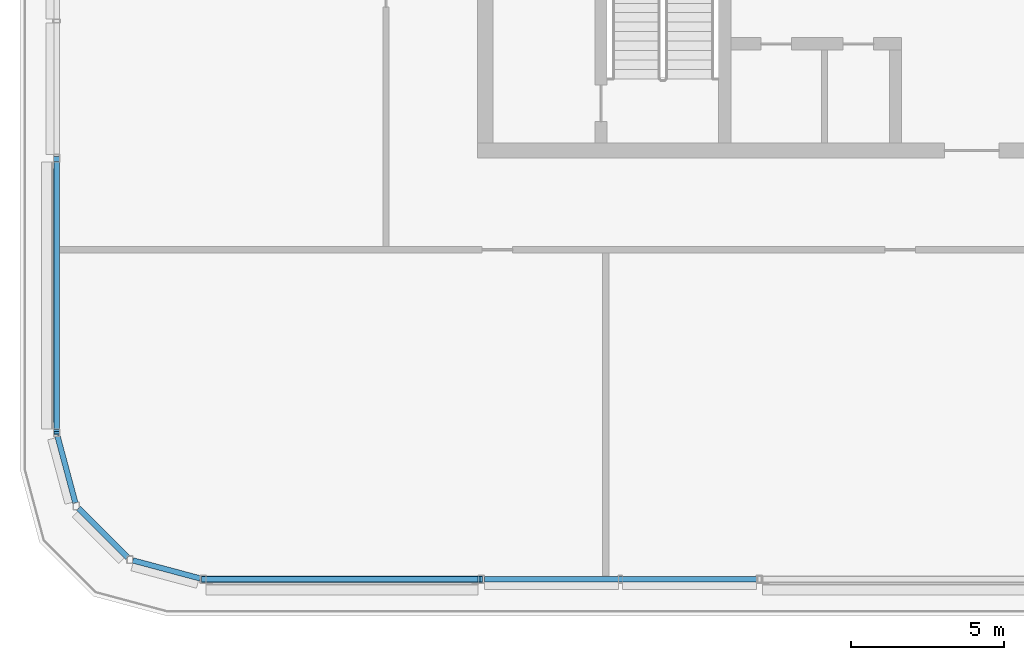
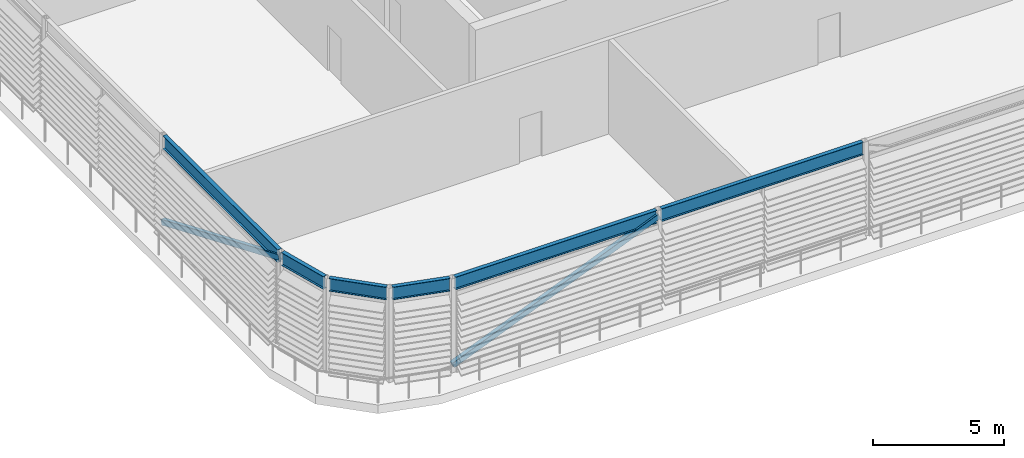
# One storey, part 5 of 29: 6 beams, 2 members.
"""IFC4 building model written with IfcOpenShell, lengths in metres."""

from ifc_helpers import new_model, si_unit, direction, frame, origin, origin_2d, place, context, subcontext, project, spatial, hollow_rectangle, i_section, extrude, material, material_profile, profile_set, type_object, element, save


model = new_model("IFC4")

# Units and contexts
model_context = context("Model", 3, precision=1e-05, world=origin(), true_north=direction((0.0, 1.0)))
body_context = subcontext(model_context, "Body", "Model", "MODEL_VIEW")
ifc_project = project(units=[si_unit("LENGTHUNIT", "METRE"), si_unit("AREAUNIT", "SQUARE_METRE"), si_unit("VOLUMEUNIT", "CUBIC_METRE"), si_unit("PLANEANGLEUNIT", "RADIAN"), si_unit("MASSUNIT", "GRAM", prefix="KILO")], contexts=[model_context])

# Site, building, storey
site_placement = place(None, origin())
site = spatial("IfcSite", under=ifc_project, at=site_placement, CompositionType="ELEMENT")
building_placement = place(site_placement, origin())
building = spatial("IfcBuilding", under=site, at=building_placement, Name="Madar Terraces", CompositionType="ELEMENT")
storey_placement = place(building_placement, frame((0.0, 0.0, 296.300048828125)))
storey = spatial("IfcBuildingStorey", under=building, at=storey_placement, Name="L77", CompositionType="ELEMENT", Elevation=296.300048828125)

# Beams
ifc_material_1 = material(Name="Steel ASTM A992 Grade 50", Category="steel")
ifc_material_profile_1 = material_profile(ifc_material_1, i_section(OverallWidth=0.1787109375, OverallDepth=0.60205078125, WebThickness=0.010986328125, FlangeThickness=0.014892578125, at=origin_2d()), Name="W24x62")
ifc_profile_set_1 = profile_set([ifc_material_profile_1], Name="Steel ASTM A992 Grade 50")
beam_type = type_object("IfcBeamType", Name="CF2 W24x62", PredefinedType="BEAM", material=ifc_profile_set_1)
for number, where, z_axis, x_axis, name in (
    (1, (6.1015625, 1.199951171875, 4.098876953125), (1.0, 0.0, 0.0), (0.0, 1.0, 0.0), "Crown frame ring beam CF2"),
    (2, (15.2216796875, 1.199951171875, 4.098876953125), (1.0, 0.0, 0.0), (0.0, 1.0, 0.0), "Crown frame ring beam CF2"),
):
    element("IfcBeam", number, at=place(storey_placement, frame(where, z_axis=z_axis, x_axis=x_axis)), inside=storey, type_object=beam_type, Name=name, PredefinedType="BEAM", context=body_context, shape_type="SweptSolid", body=[
        extrude(i_section(OverallWidth=0.1787109375, OverallDepth=0.60205078125, WebThickness=0.010986328125, FlangeThickness=0.014892578125, at=origin_2d()), origin(), (0.0, 0.0, 1.0), 8.916748046875),
    ])
beam_1_placement = place(storey_placement, frame((1.199951171875, 14.8984375, 4.098876953125), z_axis=(0.0, -1.0, 0.0), x_axis=(1.0, 0.0, 0.0)))
element("IfcBeam", 3, at=beam_1_placement, inside=storey, type_object=beam_type, Name="Crown frame ring beam CF2", PredefinedType="BEAM", context=body_context, shape_type="SweptSolid", body=[
    extrude(i_section(OverallWidth=0.1787109375, OverallDepth=0.60205078125, WebThickness=0.010986328125, FlangeThickness=0.014892578125, at=origin_2d()), origin(), (0.0, 0.0, 1.0), 8.796875),
])
beam_2_placement = place(storey_placement, frame((1.226318359375, 5.90185546875, 4.098876953125), z_axis=(0.258868028067, -0.965912700012, 0.0), x_axis=(0.965912700012, 0.258868028067, 0.0)))
element("IfcBeam", 4, at=beam_2_placement, inside=storey, type_object=beam_type, Name="Crown frame ring beam CF2", PredefinedType="BEAM", context=body_context, shape_type="SweptSolid", body=[
    extrude(i_section(OverallWidth=0.1787109375, OverallDepth=0.60205078125, WebThickness=0.010986328125, FlangeThickness=0.014892578125, at=origin_2d()), origin(), (0.0, 0.0, 1.0), 2.281494140625),
])
beam_3_placement = place(storey_placement, frame((1.9150390625, 3.528076171875, 4.098876953125), z_axis=(0.707106781187, -0.707106781187, 0.0), x_axis=(0.707106781187, 0.707106781187, 0.0)))
element("IfcBeam", 5, at=beam_3_placement, inside=storey, type_object=beam_type, Name="Crown frame ring beam CF2", PredefinedType="BEAM", context=body_context, shape_type="SweptSolid", body=[
    extrude(i_section(OverallWidth=0.1787109375, OverallDepth=0.60205078125, WebThickness=0.010986328125, FlangeThickness=0.014892578125, at=origin_2d()), origin(), (0.0, 0.0, 1.0), 2.28125),
])
beam_4_placement = place(storey_placement, frame((3.6982421875, 1.81689453125, 4.098876953125), z_axis=(0.965912700012, -0.258868028067, 0.0), x_axis=(0.258868028067, 0.965912700012, 0.0)))
element("IfcBeam", 6, at=beam_4_placement, inside=storey, type_object=beam_type, Name="Crown frame ring beam CF2", PredefinedType="BEAM", context=body_context, shape_type="SweptSolid", body=[
    extrude(i_section(OverallWidth=0.1787109375, OverallDepth=0.60205078125, WebThickness=0.010986328125, FlangeThickness=0.014892578125, at=origin_2d()), origin(), (0.0, 0.0, 1.0), 2.281494140625),
])

# Members
ifc_material_2 = material(Name="Steel ASTM A500 Grade C", Category="steel")
ifc_material_profile_2 = material_profile(ifc_material_2, hollow_rectangle(XDim=0.203125, YDim=0.25390625, WallThickness=0.009521484375, InnerFilletRadius=0.00439453125, OuterFilletRadius=0.01318359375, at=origin_2d()), Name="HSS10x8x.375")
ifc_profile_set_2 = profile_set([ifc_material_profile_2], Name="Steel ASTM A500 Grade C")
member_type = type_object("IfcMemberType", Name="CF5 crown frame brace HSS10x8x.375", PredefinedType="BRACE", material=ifc_profile_set_2)
member_1_placement = place(storey_placement, frame((6.0, 1.199951171875, 0.300048828125), z_axis=(0.923120783546, 0.0, 0.38451010258), x_axis=(0.0, 1.0, 0.0)))
element("IfcMember", 7, at=member_1_placement, inside=storey, type_object=member_type, Name="Crown frame brace CF5", PredefinedType="BRACE", context=body_context, shape_type="SweptSolid", body=[
    extrude(hollow_rectangle(XDim=0.203125, YDim=0.25390625, WallThickness=0.009521484375, InnerFilletRadius=0.00439453125, OuterFilletRadius=0.01318359375, at=origin_2d()), origin(), (0.0, 0.0, 1.0), 9.879638671875),
])
member_2_placement = place(storey_placement, frame((1.199951171875, 15.0, 0.300048828125), z_axis=(0.0, -0.921292542278, 0.388870224551), x_axis=(1.0, 0.0, 0.0)))
element("IfcMember", 8, at=member_2_placement, inside=storey, type_object=member_type, Name="Crown frame brace CF5", PredefinedType="BRACE", context=body_context, shape_type="SweptSolid", body=[
    extrude(hollow_rectangle(XDim=0.203125, YDim=0.25390625, WallThickness=0.009521484375, InnerFilletRadius=0.00439453125, OuterFilletRadius=0.01318359375, at=origin_2d()), origin(), (0.0, 0.0, 1.0), 9.768798828125),
])

save(model, "model.ifc")
